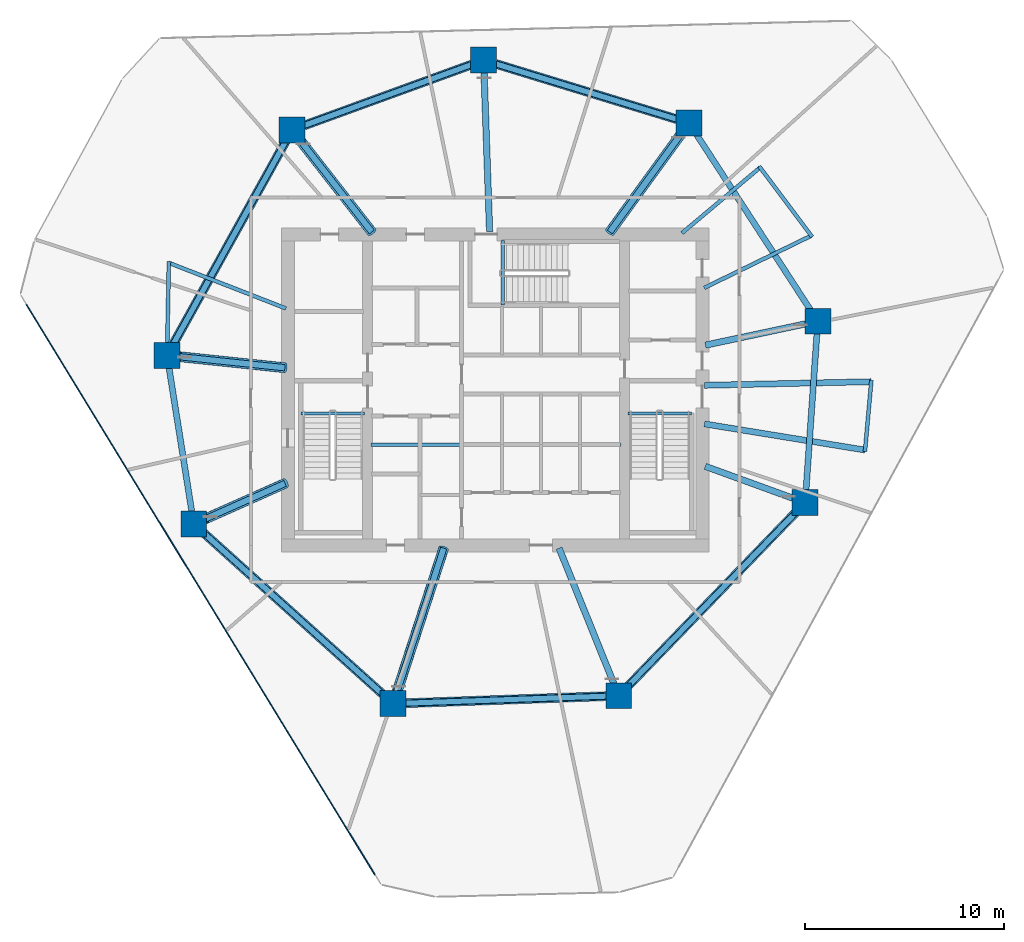
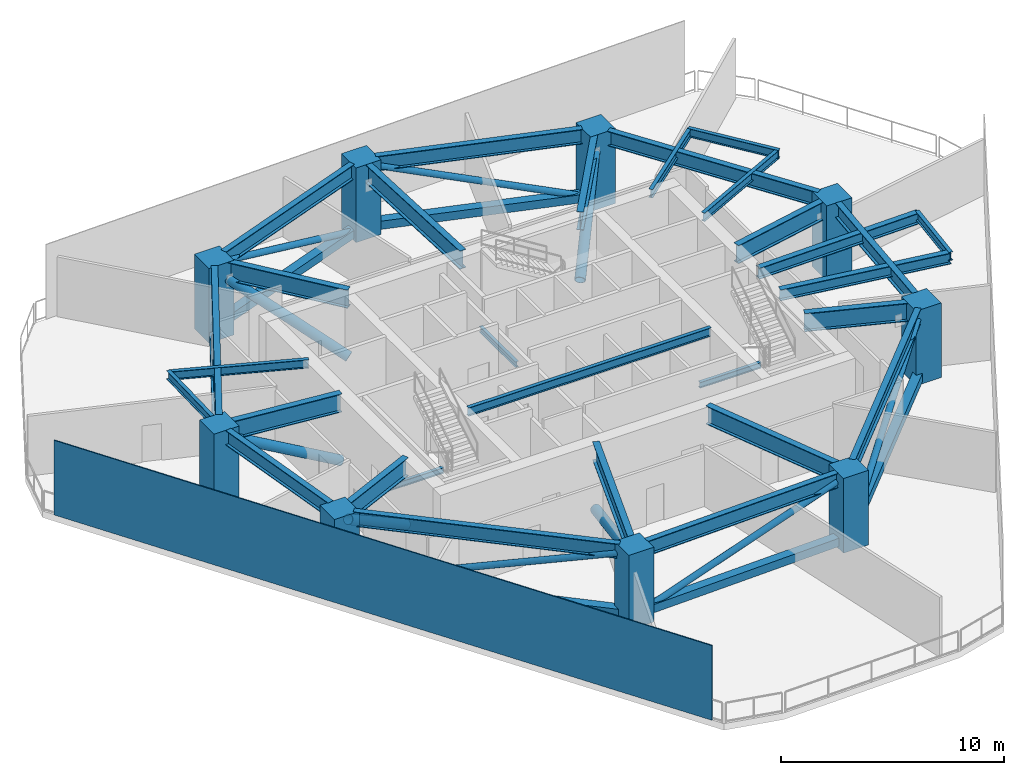
# One storey, part 1 of 7: 30 beams, 17 members, 9 columns, 1 plate.
"""IFC4 building model written with IfcOpenShell, lengths in metres."""

from ifc_helpers import new_model, si_unit, direction, frame, origin, origin_2d, place, context, subcontext, project, spatial, rectangle, hollow_rectangle, hollow_circle, i_section, extrude, material, layer, layer_set, material_profile, profile_set, type_object, element, save


model = new_model("IFC4")

# Units and contexts
model_context = context("Model", 3, precision=1e-05, world=origin(), true_north=direction((0.0, 1.0)))
body_context = subcontext(model_context, "Body", "Model", "MODEL_VIEW")
ifc_project = project(units=[si_unit("LENGTHUNIT", "METRE"), si_unit("AREAUNIT", "SQUARE_METRE"), si_unit("VOLUMEUNIT", "CUBIC_METRE"), si_unit("PLANEANGLEUNIT", "RADIAN"), si_unit("MASSUNIT", "GRAM", prefix="KILO")], contexts=[model_context])

# Site, building, storey
site_placement = place(None, origin())
site = spatial("IfcSite", under=ifc_project, at=site_placement, CompositionType="ELEMENT")
building_placement = place(site_placement, origin())
building = spatial("IfcBuilding", under=site, at=building_placement, Name="Qarnah Convention Tower", CompositionType="ELEMENT")
storey_placement = place(building_placement, frame((0.0, 0.0, 71.85009765625)))
storey = spatial("IfcBuildingStorey", under=building, at=storey_placement, Name="L18", CompositionType="ELEMENT", Elevation=71.85009765625)

# Columns
ifc_material_1 = material(Name="Concrete C60/75", Category="concrete")
ifc_material_profile_1 = material_profile(ifc_material_1, rectangle(XDim=1.300048828125, YDim=1.300048828125, at=origin_2d()), Name="RC-COL-1300X1300")
ifc_profile_set_1 = profile_set([ifc_material_profile_1], Name="Concrete C60/75")
column_type = type_object("IfcColumnType", Name="COL-Z1-1300", PredefinedType="COLUMN", material=ifc_profile_set_1)
for number, where, z_axis, x_axis, name in (
    (1, (53.387939453125, 29.841064453125, 0.0), (0.0, 0.0, 1.0), (1.0, 0.0, 0.0), "L18 plumb column PC-Z1-01"),
    (2, (46.927978515625, 39.7890625, 0.0), (0.0, 0.0, 1.0), (1.0, 0.0, 0.0), "L18 plumb column PC-Z1-02"),
    (3, (36.6220703125, 42.93994140625, 0.0), (0.0, 0.0, 1.0), (1.0, 0.0, 0.0), "L18 plumb column PC-Z1-03"),
    (4, (27.010986328125, 39.44189453125, 0.0), (0.0, 0.0, 1.0), (1.0, 0.0, 0.0), "L18 plumb column PC-Z1-04"),
    (5, (20.740966796875, 28.1298828125, 0.0), (0.0, 0.0, 1.0), (1.0, 0.0, 0.0), "L18 plumb column PC-Z1-05"),
    (6, (22.0810546875, 19.6689453125, 0.0), (0.0, 0.0, 1.0), (1.0, 0.0, 0.0), "L18 plumb column PC-Z1-06"),
    (7, (32.0859375, 10.659912109375, 0.0), (0.0, 0.0, 1.0), (1.0, 0.0, 0.0), "L18 plumb column PC-Z1-07"),
    (8, (43.39990234375, 11.054931640625, 0.0), (0.0, 0.0, 1.0), (1.0, 0.0, 0.0), "L18 plumb column PC-Z1-08"),
    (9, (52.751953125, 20.739990234375, 0.0), (0.0, 0.0, 1.0), (1.0, 0.0, 0.0), "L18 plumb column PC-Z1-09"),
):
    element("IfcColumn", number, at=place(storey_placement, frame(where, z_axis=z_axis, x_axis=x_axis)), inside=storey, type_object=column_type, Name=name, PredefinedType="COLUMN", context=body_context, shape_type="SweptSolid", body=[
        extrude(rectangle(XDim=1.300048828125, YDim=1.300048828125, at=origin_2d()), origin(), (0.0, 0.0, 1.0), 4.079833984375),
    ])

# Beams
ifc_material_2 = material(Name="Structural steel S355JR", Category="steel")
ifc_material_profile_2 = material_profile(ifc_material_2, i_section(OverallWidth=0.300048828125, OverallDepth=0.60009765625, WebThickness=0.01611328125, FlangeThickness=0.030029296875, at=origin_2d()), Name="HEB600")
ifc_profile_set_2 = profile_set([ifc_material_profile_2], Name="Structural steel S355JR")
beam_type_1 = type_object("IfcBeamType", Name="BM-CANT-HEB600", PredefinedType="BEAM", material=ifc_profile_set_2)
beam_1_placement = place(storey_placement, frame((47.698974609375, 24.69189453125, 3.77978515625), z_axis=(0.987012120424, -0.160645803355, 0.0), x_axis=(0.160645803355, 0.987012120424, 0.0)))
element("IfcBeam", 10, at=beam_1_placement, inside=storey, type_object=beam_type_1, Name="L18 beam BM-L18-CNT-03-1", PredefinedType="BEAM", context=body_context, shape_type="SweptSolid", body=[
    extrude(i_section(OverallWidth=0.300048828125, OverallDepth=0.60009765625, WebThickness=0.01611328125, FlangeThickness=0.030029296875, at=origin_2d()), origin(), (0.0, 0.0, 1.0), 8.1669921875),
])
beam_2_placement = place(storey_placement, frame((47.699951171875, 26.6279296875, 3.77978515625), z_axis=(0.999765823336, 0.021640205394, 0.0), x_axis=(-0.021640205394, 0.999765823336, 0.0)))
element("IfcBeam", 11, at=beam_2_placement, inside=storey, type_object=beam_type_1, Name="L18 beam BM-L18-CNT-03-2", PredefinedType="BEAM", context=body_context, shape_type="SweptSolid", body=[
    extrude(i_section(OverallWidth=0.300048828125, OverallDepth=0.60009765625, WebThickness=0.01611328125, FlangeThickness=0.030029296875, at=origin_2d()), origin(), (0.0, 0.0, 1.0), 8.37109375),
])
ifc_material_profile_3 = material_profile(ifc_material_2, i_section(OverallWidth=0.19189453125, OverallDepth=0.464111328125, WebThickness=0.010986328125, FlangeThickness=0.01806640625, at=origin_2d()), Name="W460X89")
ifc_profile_set_3 = profile_set([ifc_material_profile_3], Name="Structural steel S355JR")
beam_type_2 = type_object("IfcBeamType", Name="BM-CANT-W460A", PredefinedType="BEAM", material=ifc_profile_set_3)
beam_3_placement = place(storey_placement, frame((30.97998046875, 23.64990234375, 3.847900390625), z_axis=(1.0, 0.0, 0.0), x_axis=(0.0, 1.0, 0.0)))
element("IfcBeam", 12, at=beam_3_placement, inside=storey, type_object=beam_type_2, Name="L18 beam BM-L18-KC1", PredefinedType="BEAM", context=body_context, shape_type="SweptSolid", body=[
    extrude(i_section(OverallWidth=0.19189453125, OverallDepth=0.464111328125, WebThickness=0.010986328125, FlangeThickness=0.01806640625, at=origin_2d()), origin(), (0.0, 0.0, 1.0), 12.5400390625),
])
beam_4_placement = place(storey_placement, frame((47.68994140625, 31.51611328125, 3.847900390625), z_axis=(0.898845814475, 0.438264990388, 0.0), x_axis=(-0.438264990388, 0.898845814475, 0.0)))
element("IfcBeam", 13, at=beam_4_placement, inside=storey, type_object=beam_type_2, Name="L18 beam BM-L18-CNT-01-1", PredefinedType="BEAM", context=body_context, shape_type="SweptSolid", body=[
    extrude(i_section(OverallWidth=0.19189453125, OverallDepth=0.464111328125, WebThickness=0.010986328125, FlangeThickness=0.01806640625, at=origin_2d()), origin(), (0.0, 0.0, 1.0), 5.973388671875),
])
beam_5_placement = place(storey_placement, frame((46.572021484375, 34.263916015625, 3.847900390625), z_axis=(0.765964185984, 0.64288324429, 0.0), x_axis=(-0.64288324429, 0.765964185984, 0.0)))
element("IfcBeam", 14, at=beam_5_placement, inside=storey, type_object=beam_type_2, Name="L18 beam BM-L18-CNT-01-2", PredefinedType="BEAM", context=body_context, shape_type="SweptSolid", body=[
    extrude(i_section(OverallWidth=0.19189453125, OverallDepth=0.464111328125, WebThickness=0.010986328125, FlangeThickness=0.01806640625, at=origin_2d()), origin(), (0.0, 0.0, 1.0), 5.11767578125),
])
beam_6_placement = place(storey_placement, frame((53.10107421875, 34.077880859375, 3.847900390625), z_axis=(-0.600282994859, 0.799787675626, 0.0), x_axis=(-0.799787675626, -0.600282994859, 0.0)))
element("IfcBeam", 15, at=beam_6_placement, inside=storey, type_object=beam_type_2, Name="L18 spandrel BM-L18-CTIE-01", PredefinedType="SPANDREL", context=body_context, shape_type="SweptSolid", body=[
    extrude(i_section(OverallWidth=0.19189453125, OverallDepth=0.464111328125, WebThickness=0.010986328125, FlangeThickness=0.01806640625, at=origin_2d()), origin(), (0.0, 0.0, 1.0), 4.41650390625),
])
beam_7_placement = place(storey_placement, frame((26.70703125, 30.48388671875, 3.847900390625), z_axis=(-0.931897088326, 0.36272278226, 0.0), x_axis=(-0.36272278226, -0.931897088326, 0.0)))
element("IfcBeam", 16, at=beam_7_placement, inside=storey, type_object=beam_type_2, Name="L18 beam BM-L18-CNT-02-1", PredefinedType="BEAM", context=body_context, shape_type="SweptSolid", body=[
    extrude(i_section(OverallWidth=0.19189453125, OverallDepth=0.464111328125, WebThickness=0.010986328125, FlangeThickness=0.01806640625, at=origin_2d()), origin(), (0.0, 0.0, 1.0), 6.305419921875),
])
beam_8_placement = place(storey_placement, frame((20.83203125, 32.841064453125, 3.847900390625), z_axis=(-0.01942661808, -0.999811285448, 0.0), x_axis=(0.999811285448, -0.01942661808, 0.0)))
element("IfcBeam", 17, at=beam_8_placement, inside=storey, type_object=beam_type_2, Name="L18 spandrel BM-L18-CTIE-02", PredefinedType="SPANDREL", context=body_context, shape_type="SweptSolid", body=[
    extrude(i_section(OverallWidth=0.19189453125, OverallDepth=0.464111328125, WebThickness=0.010986328125, FlangeThickness=0.01806640625, at=origin_2d()), origin(), (0.0, 0.0, 1.0), 4.07177734375),
])
beam_9_placement = place(storey_placement, frame((55.75390625, 23.31005859375, 3.847900390625), z_axis=(0.08959579595, 0.995978209274, 0.0), x_axis=(-0.995978209274, 0.08959579595, 0.0)))
element("IfcBeam", 18, at=beam_9_placement, inside=storey, type_object=beam_type_2, Name="L18 spandrel BM-L18-CTIE-03", PredefinedType="SPANDREL", context=body_context, shape_type="SweptSolid", body=[
    extrude(i_section(OverallWidth=0.19189453125, OverallDepth=0.464111328125, WebThickness=0.010986328125, FlangeThickness=0.01806640625, at=origin_2d()), origin(), (0.0, 0.0, 1.0), 3.583251953125),
])
ifc_material_profile_4 = material_profile(ifc_material_2, i_section(OverallWidth=0.166015625, OverallDepth=0.31201171875, WebThickness=0.007080078125, FlangeThickness=0.010986328125, at=origin_2d()), Name="W310X45")
ifc_profile_set_4 = profile_set([ifc_material_profile_4], Name="Structural steel S355JR")
beam_type_3 = type_object("IfcBeamType", Name="BM-JST-W310", PredefinedType="JOIST", material=ifc_profile_set_4)
for number, where, z_axis, x_axis, name in (
    (19, (27.4599609375, 25.217041015625, -0.156005859375), (1.0, 0.0, 0.0), (0.0, 1.0, 0.0), "L18 stair landing trimmer beam BM-L18-ST1-TRM"),
    (20, (43.860107421875, 25.217041015625, -0.156005859375), (1.0, 0.0, 0.0), (0.0, 1.0, 0.0), "L18 stair landing trimmer beam BM-L18-ST2-TRM"),
):
    element("IfcBeam", number, at=place(storey_placement, frame(where, z_axis=z_axis, x_axis=x_axis)), inside=storey, type_object=beam_type_3, Name=name, PredefinedType="BEAM", context=body_context, shape_type="SweptSolid", body=[
        extrude(i_section(OverallWidth=0.166015625, OverallDepth=0.31201171875, WebThickness=0.007080078125, FlangeThickness=0.010986328125, at=origin_2d()), origin(), (0.0, 0.0, 1.0), 3.179931640625),
    ])
beam_10_placement = place(storey_placement, frame((37.5830078125, 30.659912109375, -0.156005859375), z_axis=(0.0, 1.0, 0.0), x_axis=(-1.0, 0.0, 0.0)))
element("IfcBeam", 21, at=beam_10_placement, inside=storey, type_object=beam_type_3, Name="L18 stair landing trimmer beam BM-L18-ST3-TRM", PredefinedType="BEAM", context=body_context, shape_type="SweptSolid", body=[
    extrude(i_section(OverallWidth=0.166015625, OverallDepth=0.31201171875, WebThickness=0.007080078125, FlangeThickness=0.010986328125, at=origin_2d()), origin(), (0.0, 0.0, 1.0), 3.239990234375),
])
ifc_material_profile_5 = material_profile(ifc_material_2, i_section(OverallWidth=0.300048828125, OverallDepth=0.800048828125, WebThickness=0.01806640625, FlangeThickness=0.032958984375, at=origin_2d()), Name="HEB800")
ifc_profile_set_5 = profile_set([ifc_material_profile_5], Name="Structural steel S355JR")
beam_type_4 = type_object("IfcBeamType", Name="BM-RING-HEB800", PredefinedType="BEAM", material=ifc_profile_set_5)
beam_11_placement = place(storey_placement, frame((53.0390625, 30.3779296875, 3.679931640625), z_axis=(-0.544579515688, 0.838709217246, 0.0), x_axis=(-0.838709217246, -0.544579515688, 0.0)))
element("IfcBeam", 22, at=beam_11_placement, inside=storey, type_object=beam_type_4, Name="L18 beam BM-L18-SPN-01", PredefinedType="BEAM", context=body_context, shape_type="SweptSolid", body=[
    extrude(i_section(OverallWidth=0.300048828125, OverallDepth=0.800048828125, WebThickness=0.01806640625, FlangeThickness=0.032958984375, at=origin_2d()), origin(), (0.0, 0.0, 1.0), 10.58056640625),
])
beam_12_placement = place(storey_placement, frame((46.31591796875, 39.97607421875, 3.679931640625), z_axis=(-0.956298871663, 0.292390950707, 0.0), x_axis=(-0.292390950707, -0.956298871663, 0.0)))
element("IfcBeam", 23, at=beam_12_placement, inside=storey, type_object=beam_type_4, Name="L18 beam BM-L18-SPN-02", PredefinedType="BEAM", context=body_context, shape_type="SweptSolid", body=[
    extrude(i_section(OverallWidth=0.300048828125, OverallDepth=0.800048828125, WebThickness=0.01806640625, FlangeThickness=0.032958984375, at=origin_2d()), origin(), (0.0, 0.0, 1.0), 9.4970703125),
])
beam_13_placement = place(storey_placement, frame((36.02099609375, 42.720947265625, 3.679931640625), z_axis=(-0.939712145037, -0.341966496121, 0.0), x_axis=(0.341966496121, -0.939712145037, 0.0)))
element("IfcBeam", 24, at=beam_13_placement, inside=storey, type_object=beam_type_4, Name="L18 beam BM-L18-SPN-03", PredefinedType="BEAM", context=body_context, shape_type="SweptSolid", body=[
    extrude(i_section(OverallWidth=0.300048828125, OverallDepth=0.800048828125, WebThickness=0.01806640625, FlangeThickness=0.032958984375, at=origin_2d()), origin(), (0.0, 0.0, 1.0), 8.948486328125),
])
beam_14_placement = place(storey_placement, frame((26.700927734375, 38.882080078125, 3.679931640625), z_axis=(-0.484829813426, -0.874608513572, 0.0), x_axis=(0.874608513572, -0.484829813426, 0.0)))
element("IfcBeam", 25, at=beam_14_placement, inside=storey, type_object=beam_type_4, Name="L18 beam BM-L18-SPN-04", PredefinedType="BEAM", context=body_context, shape_type="SweptSolid", body=[
    extrude(i_section(OverallWidth=0.300048828125, OverallDepth=0.800048828125, WebThickness=0.01806640625, FlangeThickness=0.032958984375, at=origin_2d()), origin(), (0.0, 0.0, 1.0), 11.6533203125),
])
beam_15_placement = place(storey_placement, frame((20.841064453125, 27.498046875, 3.679931640625), z_axis=(0.156433977502, -0.987688417814, 0.0), x_axis=(0.987688417814, 0.156433977502, 0.0)))
element("IfcBeam", 26, at=beam_15_placement, inside=storey, type_object=beam_type_4, Name="L18 beam BM-L18-SPN-05", PredefinedType="BEAM", context=body_context, shape_type="SweptSolid", body=[
    extrude(i_section(OverallWidth=0.300048828125, OverallDepth=0.800048828125, WebThickness=0.01806640625, FlangeThickness=0.032958984375, at=origin_2d()), origin(), (0.0, 0.0, 1.0), 7.28662109375),
])
beam_16_placement = place(storey_placement, frame((22.556884765625, 19.240966796875, 3.679931640625), z_axis=(0.743082870291, -0.669199408159, 0.0), x_axis=(0.669199408159, 0.743082870291, 0.0)))
element("IfcBeam", 27, at=beam_16_placement, inside=storey, type_object=beam_type_4, Name="L18 beam BM-L18-SPN-06", PredefinedType="BEAM", context=body_context, shape_type="SweptSolid", body=[
    extrude(i_section(OverallWidth=0.300048828125, OverallDepth=0.800048828125, WebThickness=0.01806640625, FlangeThickness=0.032958984375, at=origin_2d()), origin(), (0.0, 0.0, 1.0), 12.183349609375),
])
beam_17_placement = place(storey_placement, frame((32.72607421875, 10.681884765625, 3.679931640625), z_axis=(0.999388457365, 0.034967288783, 0.0), x_axis=(-0.034967288783, 0.999388457365, 0.0)))
element("IfcBeam", 28, at=beam_17_placement, inside=storey, type_object=beam_type_4, Name="L18 beam BM-L18-SPN-07", PredefinedType="BEAM", context=body_context, shape_type="SweptSolid", body=[
    extrude(i_section(OverallWidth=0.300048828125, OverallDepth=0.800048828125, WebThickness=0.01806640625, FlangeThickness=0.032958984375, at=origin_2d()), origin(), (0.0, 0.0, 1.0), 10.0400390625),
])
beam_18_placement = place(storey_placement, frame((43.844970703125, 11.514892578125, 3.679931640625), z_axis=(0.694553028655, 0.719441512832, 0.0), x_axis=(-0.719441512832, 0.694553028655, 0.0)))
element("IfcBeam", 29, at=beam_18_placement, inside=storey, type_object=beam_type_4, Name="L18 beam BM-L18-SPN-08", PredefinedType="BEAM", context=body_context, shape_type="SweptSolid", body=[
    extrude(i_section(OverallWidth=0.300048828125, OverallDepth=0.800048828125, WebThickness=0.01806640625, FlangeThickness=0.032958984375, at=origin_2d()), origin(), (0.0, 0.0, 1.0), 12.183349609375),
])
beam_19_placement = place(storey_placement, frame((52.797119140625, 21.3779296875, 3.679931640625), z_axis=(0.069594661237, 0.997575352105, 0.0), x_axis=(-0.997575352105, 0.069594661237, 0.0)))
element("IfcBeam", 30, at=beam_19_placement, inside=storey, type_object=beam_type_4, Name="L18 beam BM-L18-SPN-09", PredefinedType="BEAM", context=body_context, shape_type="SweptSolid", body=[
    extrude(i_section(OverallWidth=0.300048828125, OverallDepth=0.800048828125, WebThickness=0.01806640625, FlangeThickness=0.032958984375, at=origin_2d()), origin(), (0.0, 0.0, 1.0), 7.843994140625),
])
ifc_material_profile_6 = material_profile(ifc_material_2, i_section(OverallWidth=0.320068359375, OverallDepth=1.0, WebThickness=0.02197265625, FlangeThickness=0.033935546875, at=origin_2d()), Name="W1000X371")
ifc_profile_set_6 = profile_set([ifc_material_profile_6], Name="Structural steel S355JR")
beam_type_5 = type_object("IfcBeamType", Name="BM-TG-W1000B", PredefinedType="USERDEFINED", material=ifc_profile_set_6)
beam_20_placement = place(storey_placement, frame((47.7470703125, 28.64208984375, 3.579833984375), z_axis=(0.978155710431, 0.207873534031, 0.0), x_axis=(-0.207873534031, 0.978155710431, 0.0)))
element("IfcBeam", 31, at=beam_20_placement, inside=storey, type_object=beam_type_5, Name="L18 transfer girder BM-L18-TG-01", ObjectType="TRANSFER_GIRDER", PredefinedType="USERDEFINED", context=body_context, shape_type="SweptSolid", body=[
    extrude(i_section(OverallWidth=0.320068359375, OverallDepth=1.0, WebThickness=0.02197265625, FlangeThickness=0.033935546875, at=origin_2d()), origin(), (0.0, 0.0, 1.0), 5.13720703125),
])
beam_21_placement = place(storey_placement, frame((42.955078125, 34.321044921875, 3.579833984375), z_axis=(0.587873224058, 0.808953071837, 0.0), x_axis=(-0.808953071837, 0.587873224058, 0.0)))
element("IfcBeam", 32, at=beam_21_placement, inside=storey, type_object=beam_type_5, Name="L18 transfer girder BM-L18-TG-02", ObjectType="TRANSFER_GIRDER", PredefinedType="USERDEFINED", context=body_context, shape_type="SweptSolid", body=[
    extrude(i_section(OverallWidth=0.320068359375, OverallDepth=1.0, WebThickness=0.02197265625, FlangeThickness=0.033935546875, at=origin_2d()), origin(), (0.0, 0.0, 1.0), 6.12890625),
])
beam_22_placement = place(storey_placement, frame((36.922119140625, 34.35009765625, 3.579833984375), z_axis=(-0.034913066254, 0.999390353068, 0.0), x_axis=(-0.999390353068, -0.034913066254, 0.0)))
element("IfcBeam", 33, at=beam_22_placement, inside=storey, type_object=beam_type_5, Name="L18 transfer girder BM-L18-TG-03", ObjectType="TRANSFER_GIRDER", PredefinedType="USERDEFINED", context=body_context, shape_type="SweptSolid", body=[
    extrude(i_section(OverallWidth=0.320068359375, OverallDepth=1.0, WebThickness=0.02197265625, FlangeThickness=0.033935546875, at=origin_2d()), origin(), (0.0, 0.0, 1.0), 7.96484375),
])
beam_23_placement = place(storey_placement, frame((31.013916015625, 34.318115234375, 3.579833984375), z_axis=(-0.61558272574, 0.78807227319, 0.0), x_axis=(-0.78807227319, -0.61558272574, 0.0)))
element("IfcBeam", 34, at=beam_23_placement, inside=storey, type_object=beam_type_5, Name="L18 transfer girder BM-L18-TG-04", ObjectType="TRANSFER_GIRDER", PredefinedType="USERDEFINED", context=body_context, shape_type="SweptSolid", body=[
    extrude(i_section(OverallWidth=0.320068359375, OverallDepth=1.0, WebThickness=0.02197265625, FlangeThickness=0.033935546875, at=origin_2d()), origin(), (0.0, 0.0, 1.0), 5.87255859375),
])
beam_24_placement = place(storey_placement, frame((26.65087890625, 27.509033203125, 3.579833984375), z_axis=(-0.99452834613, 0.10446707014, 0.0), x_axis=(-0.10446707014, -0.99452834613, 0.0)))
element("IfcBeam", 35, at=beam_24_placement, inside=storey, type_object=beam_type_5, Name="L18 transfer girder BM-L18-TG-05", ObjectType="TRANSFER_GIRDER", PredefinedType="USERDEFINED", context=body_context, shape_type="SweptSolid", body=[
    extrude(i_section(OverallWidth=0.320068359375, OverallDepth=1.0, WebThickness=0.02197265625, FlangeThickness=0.033935546875, at=origin_2d()), origin(), (0.0, 0.0, 1.0), 5.31201171875),
])
beam_25_placement = place(storey_placement, frame((26.6630859375, 21.708984375, 3.579833984375), z_axis=(-0.913519753242, -0.406794371195, 0.0), x_axis=(0.406794371195, -0.913519753242, 0.0)))
element("IfcBeam", 36, at=beam_25_placement, inside=storey, type_object=beam_type_5, Name="L18 transfer girder BM-L18-TG-06", ObjectType="TRANSFER_GIRDER", PredefinedType="USERDEFINED", context=body_context, shape_type="SweptSolid", body=[
    extrude(i_section(OverallWidth=0.320068359375, OverallDepth=1.0, WebThickness=0.02197265625, FlangeThickness=0.033935546875, at=origin_2d()), origin(), (0.0, 0.0, 1.0), 4.38525390625),
])
beam_26_placement = place(storey_placement, frame((34.6201171875, 18.45703125, 3.579833984375), z_axis=(-0.309057625925, -0.951043313345, 0.0), x_axis=(0.951043313345, -0.309057625925, 0.0)))
element("IfcBeam", 37, at=beam_26_placement, inside=storey, type_object=beam_type_5, Name="L18 transfer girder BM-L18-TG-07", ObjectType="TRANSFER_GIRDER", PredefinedType="USERDEFINED", context=body_context, shape_type="SweptSolid", body=[
    extrude(i_section(OverallWidth=0.320068359375, OverallDepth=1.0, WebThickness=0.02197265625, FlangeThickness=0.033935546875, at=origin_2d()), origin(), (0.0, 0.0, 1.0), 7.568603515625),
])
beam_27_placement = place(storey_placement, frame((40.407958984375, 18.4609375, 3.579833984375), z_axis=(0.374586487969, -0.927191977441, 0.0), x_axis=(0.927191977441, 0.374586487969, 0.0)))
element("IfcBeam", 38, at=beam_27_placement, inside=storey, type_object=beam_type_5, Name="L18 transfer girder BM-L18-TG-08", ObjectType="TRANSFER_GIRDER", PredefinedType="USERDEFINED", context=body_context, shape_type="SweptSolid", body=[
    extrude(i_section(OverallWidth=0.320068359375, OverallDepth=1.0, WebThickness=0.02197265625, FlangeThickness=0.033935546875, at=origin_2d()), origin(), (0.0, 0.0, 1.0), 7.357666015625),
])
beam_28_placement = place(storey_placement, frame((47.740966796875, 22.56396484375, 3.579833984375), z_axis=(0.939656930297, -0.342118186224, 0.0), x_axis=(0.342118186224, 0.939656930297, 0.0)))
element("IfcBeam", 39, at=beam_28_placement, inside=storey, type_object=beam_type_5, Name="L18 transfer girder BM-L18-TG-09", ObjectType="TRANSFER_GIRDER", PredefinedType="USERDEFINED", context=body_context, shape_type="SweptSolid", body=[
    extrude(i_section(OverallWidth=0.320068359375, OverallDepth=1.0, WebThickness=0.02197265625, FlangeThickness=0.033935546875, at=origin_2d()), origin(), (0.0, 0.0, 1.0), 4.70263671875),
])

# Members
ifc_material_profile_7 = material_profile(ifc_material_2, hollow_circle(Radius=0.162109375, WallThickness=0.011962890625, at=origin_2d()), Name="CHS324X12")
ifc_profile_set_7 = profile_set([ifc_material_profile_7], Name="Structural steel S355JR")
member_type_1 = type_object("IfcMemberType", Name="MBR-BRC-CHS324", PredefinedType="BRACE", material=ifc_profile_set_7)
member_1_placement = place(storey_placement, frame((46.31591796875, 39.97607421875, 0.349853515625), z_axis=(-0.906815927202, 0.277261407419, 0.317507458382), x_axis=(-0.292390950707, -0.956298871663, 0.0)))
element("IfcMember", 40, at=member_1_placement, inside=storey, type_object=member_type_1, Name="L18 belt truss diagonal 02", PredefinedType="BRACE", context=body_context, shape_type="SweptSolid", body=[
    extrude(hollow_circle(Radius=0.162109375, WallThickness=0.011962890625, at=origin_2d()), origin(), (0.0, 0.0, 1.0), 10.015380859375),
])
member_2_placement = place(storey_placement, frame((36.02099609375, 42.720947265625, 0.349853515625), z_axis=(-0.88546453246, -0.322225487032, 0.334848170464), x_axis=(0.341966496121, -0.939712145037, 0.0)))
element("IfcMember", 41, at=member_2_placement, inside=storey, type_object=member_type_1, Name="L18 belt truss diagonal 03", PredefinedType="BRACE", context=body_context, shape_type="SweptSolid", body=[
    extrude(hollow_circle(Radius=0.162109375, WallThickness=0.011962890625, at=origin_2d()), origin(), (0.0, 0.0, 1.0), 9.49658203125),
])
member_3_placement = place(storey_placement, frame((26.700927734375, 38.882080078125, 0.349853515625), z_axis=(-0.46772853919, -0.84375867797, 0.263251414007), x_axis=(0.874608513572, -0.484829813426, 0.0)))
element("IfcMember", 42, at=member_3_placement, inside=storey, type_object=member_type_1, Name="L18 belt truss diagonal 04", PredefinedType="BRACE", context=body_context, shape_type="SweptSolid", body=[
    extrude(hollow_circle(Radius=0.162109375, WallThickness=0.011962890625, at=origin_2d()), origin(), (0.0, 0.0, 1.0), 12.079345703125),
])
member_4_placement = place(storey_placement, frame((22.556884765625, 19.240966796875, 0.349853515625), z_axis=(0.718995712873, -0.647507195712, 0.252546226206), x_axis=(0.669199408159, 0.743082870291, 0.0)))
element("IfcMember", 43, at=member_4_placement, inside=storey, type_object=member_type_1, Name="L18 belt truss diagonal 06", PredefinedType="BRACE", context=body_context, shape_type="SweptSolid", body=[
    extrude(hollow_circle(Radius=0.162109375, WallThickness=0.011962890625, at=origin_2d()), origin(), (0.0, 0.0, 1.0), 12.591552734375),
])
member_5_placement = place(storey_placement, frame((32.72607421875, 10.681884765625, 0.349853515625), z_axis=(0.952743527021, 0.033335243968, 0.30194127447), x_axis=(-0.034967288783, 0.999388457365, 0.0)))
element("IfcMember", 44, at=member_5_placement, inside=storey, type_object=member_type_1, Name="L18 belt truss diagonal 07", PredefinedType="BRACE", context=body_context, shape_type="SweptSolid", body=[
    extrude(hollow_circle(Radius=0.162109375, WallThickness=0.011962890625, at=origin_2d()), origin(), (0.0, 0.0, 1.0), 10.53173828125),
])
member_6_placement = place(storey_placement, frame((43.844970703125, 11.514892578125, 0.349853515625), z_axis=(0.672038702819, 0.696120412828, 0.252547723722), x_axis=(-0.719441512832, 0.694553028655, 0.0)))
element("IfcMember", 45, at=member_6_placement, inside=storey, type_object=member_type_1, Name="L18 belt truss diagonal 08", PredefinedType="BRACE", context=body_context, shape_type="SweptSolid", body=[
    extrude(hollow_circle(Radius=0.162109375, WallThickness=0.011962890625, at=origin_2d()), origin(), (0.0, 0.0, 1.0), 12.59130859375),
])
ifc_material_profile_8 = material_profile(ifc_material_2, hollow_circle(Radius=0.25390625, WallThickness=0.02001953125, at=origin_2d()), Name="CHS508X20")
ifc_profile_set_8 = profile_set([ifc_material_profile_8], Name="Structural steel S355JR")
member_type_2 = type_object("IfcMemberType", Name="MBR-BRC-CHS508", PredefinedType="BRACE", material=ifc_profile_set_8)
member_7_placement = place(storey_placement, frame((42.955078125, 34.321044921875, 0.349853515625), z_axis=(0.535700821958, 0.737160339635, 0.411848592353), x_axis=(-0.808953071837, 0.587873224058, 0.0)))
element("IfcMember", 46, at=member_7_placement, inside=storey, type_object=member_type_2, Name="L18 outrigger truss diagonal 02", PredefinedType="BRACE", context=body_context, shape_type="SweptSolid", body=[
    extrude(hollow_circle(Radius=0.25390625, WallThickness=0.02001953125, at=origin_2d()), origin(), (0.0, 0.0, 1.0), 6.725830078125),
])
member_8_placement = place(storey_placement, frame((31.013916015625, 34.318115234375, 0.349853515625), z_axis=(-0.556752934387, 0.712758062014, 0.426617059064), x_axis=(-0.78807227319, -0.61558272574, 0.0)))
element("IfcMember", 47, at=member_8_placement, inside=storey, type_object=member_type_2, Name="L18 outrigger truss diagonal 04", PredefinedType="BRACE", context=body_context, shape_type="SweptSolid", body=[
    extrude(hollow_circle(Radius=0.25390625, WallThickness=0.02001953125, at=origin_2d()), origin(), (0.0, 0.0, 1.0), 6.492919921875),
])
member_9_placement = place(storey_placement, frame((26.65087890625, 27.509033203125, 0.349853515625), z_axis=(-0.881833922246, 0.092629442454, 0.462372923047), x_axis=(-0.10446707014, -0.99452834613, 0.0)))
element("IfcMember", 48, at=member_9_placement, inside=storey, type_object=member_type_2, Name="L18 outrigger truss diagonal 05", PredefinedType="BRACE", context=body_context, shape_type="SweptSolid", body=[
    extrude(hollow_circle(Radius=0.25390625, WallThickness=0.02001953125, at=origin_2d()), origin(), (0.0, 0.0, 1.0), 5.990966796875),
])
member_10_placement = place(storey_placement, frame((26.6630859375, 21.708984375, 0.349853515625), z_axis=(-0.77234496849, -0.343928617512, 0.534037784904), x_axis=(0.406794371195, -0.913519753242, 0.0)))
element("IfcMember", 49, at=member_10_placement, inside=storey, type_object=member_type_2, Name="L18 outrigger truss diagonal 06", PredefinedType="BRACE", context=body_context, shape_type="SweptSolid", body=[
    extrude(hollow_circle(Radius=0.25390625, WallThickness=0.02001953125, at=origin_2d()), origin(), (0.0, 0.0, 1.0), 5.18701171875),
])
member_11_placement = place(storey_placement, frame((34.6201171875, 18.45703125, 0.349853515625), z_axis=(-0.290230136622, -0.893106681769, 0.343695974336), x_axis=(0.951043313345, -0.309057625925, 0.0)))
element("IfcMember", 50, at=member_11_placement, inside=storey, type_object=member_type_2, Name="L18 outrigger truss diagonal 07", PredefinedType="BRACE", context=body_context, shape_type="SweptSolid", body=[
    extrude(hollow_circle(Radius=0.25390625, WallThickness=0.02001953125, at=origin_2d()), origin(), (0.0, 0.0, 1.0), 8.0595703125),
])
ifc_material_profile_9 = material_profile(ifc_material_2, hollow_rectangle(XDim=0.449951171875, YDim=0.449951171875, WallThickness=0.01611328125, at=origin_2d()), Name="HSS450X450X16")
ifc_profile_set_9 = profile_set([ifc_material_profile_9], Name="Structural steel S355JR")
member_type_3 = type_object("IfcMemberType", Name="MBR-CHD-HSS450", PredefinedType="CHORD", material=ifc_profile_set_9)
member_12_placement = place(storey_placement, frame((46.31591796875, 39.97607421875, 0.349853515625), z_axis=(-0.956298871663, 0.292390950707, 0.0), x_axis=(-0.292390950707, -0.956298871663, 0.0)))
element("IfcMember", 51, at=member_12_placement, inside=storey, type_object=member_type_3, Name="L18 belt truss bottom chord 02", PredefinedType="CHORD", context=body_context, shape_type="SweptSolid", body=[
    extrude(hollow_rectangle(XDim=0.449951171875, YDim=0.449951171875, WallThickness=0.01611328125, at=origin_2d()), origin(), (0.0, 0.0, 1.0), 9.4970703125),
])
member_13_placement = place(storey_placement, frame((36.02099609375, 42.720947265625, 0.349853515625), z_axis=(-0.939712145037, -0.341966496121, 0.0), x_axis=(0.341966496121, -0.939712145037, 0.0)))
element("IfcMember", 52, at=member_13_placement, inside=storey, type_object=member_type_3, Name="L18 belt truss bottom chord 03", PredefinedType="CHORD", context=body_context, shape_type="SweptSolid", body=[
    extrude(hollow_rectangle(XDim=0.449951171875, YDim=0.449951171875, WallThickness=0.01611328125, at=origin_2d()), origin(), (0.0, 0.0, 1.0), 8.948486328125),
])
member_14_placement = place(storey_placement, frame((26.700927734375, 38.882080078125, 0.349853515625), z_axis=(-0.484829813426, -0.874608513572, 0.0), x_axis=(0.874608513572, -0.484829813426, 0.0)))
element("IfcMember", 53, at=member_14_placement, inside=storey, type_object=member_type_3, Name="L18 belt truss bottom chord 04", PredefinedType="CHORD", context=body_context, shape_type="SweptSolid", body=[
    extrude(hollow_rectangle(XDim=0.449951171875, YDim=0.449951171875, WallThickness=0.01611328125, at=origin_2d()), origin(), (0.0, 0.0, 1.0), 11.6533203125),
])
member_15_placement = place(storey_placement, frame((22.556884765625, 19.240966796875, 0.349853515625), z_axis=(0.743082870291, -0.669199408159, 0.0), x_axis=(0.669199408159, 0.743082870291, 0.0)))
element("IfcMember", 54, at=member_15_placement, inside=storey, type_object=member_type_3, Name="L18 belt truss bottom chord 06", PredefinedType="CHORD", context=body_context, shape_type="SweptSolid", body=[
    extrude(hollow_rectangle(XDim=0.449951171875, YDim=0.449951171875, WallThickness=0.01611328125, at=origin_2d()), origin(), (0.0, 0.0, 1.0), 12.183349609375),
])
member_16_placement = place(storey_placement, frame((32.72607421875, 10.681884765625, 0.349853515625), z_axis=(0.999388457365, 0.034967288783, 0.0), x_axis=(-0.034967288783, 0.999388457365, 0.0)))
element("IfcMember", 55, at=member_16_placement, inside=storey, type_object=member_type_3, Name="L18 belt truss bottom chord 07", PredefinedType="CHORD", context=body_context, shape_type="SweptSolid", body=[
    extrude(hollow_rectangle(XDim=0.449951171875, YDim=0.449951171875, WallThickness=0.01611328125, at=origin_2d()), origin(), (0.0, 0.0, 1.0), 10.0400390625),
])
member_17_placement = place(storey_placement, frame((43.844970703125, 11.514892578125, 0.349853515625), z_axis=(0.694553028655, 0.719441512832, 0.0), x_axis=(-0.719441512832, 0.694553028655, 0.0)))
element("IfcMember", 56, at=member_17_placement, inside=storey, type_object=member_type_3, Name="L18 belt truss bottom chord 08", PredefinedType="CHORD", context=body_context, shape_type="SweptSolid", body=[
    extrude(hollow_rectangle(XDim=0.449951171875, YDim=0.449951171875, WallThickness=0.01611328125, at=origin_2d()), origin(), (0.0, 0.0, 1.0), 12.183349609375),
])

# Plate
ifc_material_3 = material(Name="Black anodised aluminium", Category="aluminium")
ifc_layer = layer(ifc_material_3, 0.054931640625)
ifc_layer_set = layer_set([ifc_layer], Name="Black anodised aluminium")
plate_type = type_object("IfcPlateType", Name="SCR-SKG-24", PredefinedType="USERDEFINED", material=ifc_layer_set)
plate_placement = place(storey_placement, frame((22.422119140625, 16.3759765625, -0.000244140625), z_axis=(0.0, 0.0, 1.0), x_axis=(-0.521618797459, 0.853178662496, 0.0)))
element("IfcPlate", 57, at=plate_placement, inside=storey, type_object=plate_type, Name="L18 mechanical plant acoustic solar screen 2", ObjectType="SCREEN", PredefinedType="USERDEFINED", context=body_context, shape_type="SweptSolid", body=[
    extrude(rectangle(XDim=33.52099609375, YDim=0.054931640625, at=origin_2d()), origin(), (0.0, 0.0, 1.0), 4.080078125),
])

save(model, "model.ifc")
